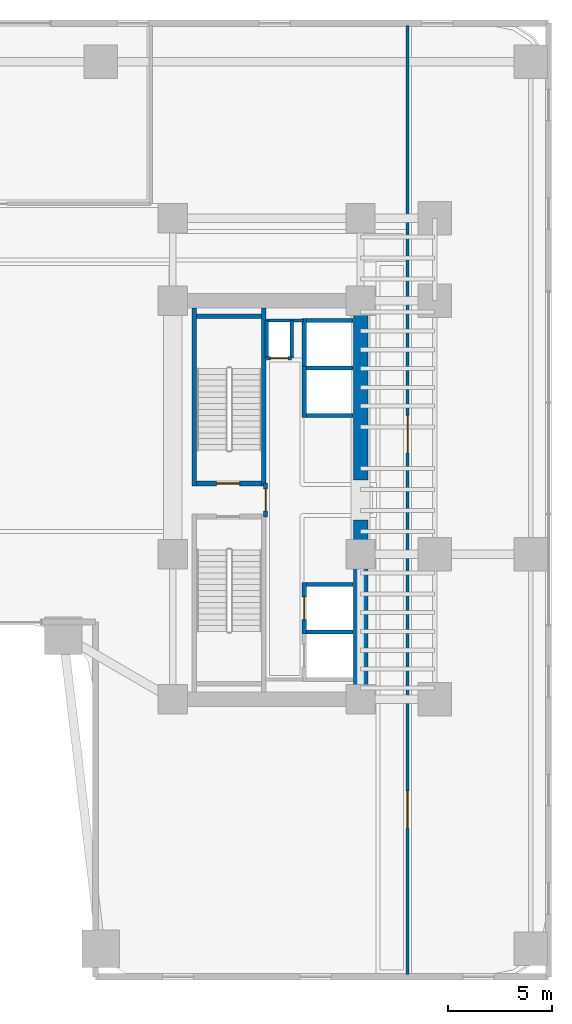
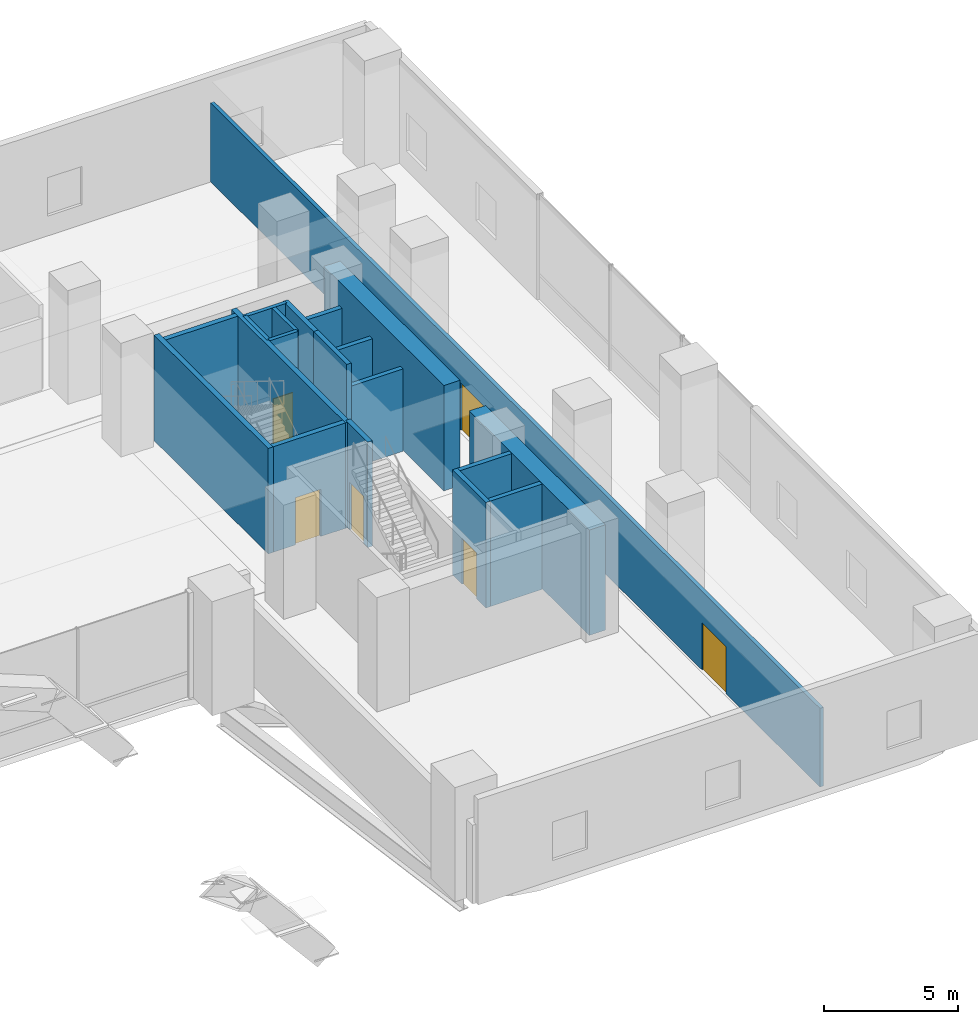
# One storey, part 28 of 39: 20 walls, 6 doors, 6 openings.
"""IFC4 building model written with IfcOpenShell, lengths in metres."""

from ifc_helpers import new_model, si_unit, direction, frame, frame_2d, origin, place, context, subcontext, project, spatial, rectangle, extrude, material, layer, layer_set, type_object, element, fill, save


model = new_model("IFC4")

# Units and contexts
model_context = context("Model", 3, precision=1e-05, world=origin(), true_north=direction((0.0, 1.0)))
body_context = subcontext(model_context, "Body", "Model", "MODEL_VIEW")
ifc_project = project(units=[si_unit("LENGTHUNIT", "METRE"), si_unit("AREAUNIT", "SQUARE_METRE"), si_unit("VOLUMEUNIT", "CUBIC_METRE"), si_unit("PLANEANGLEUNIT", "RADIAN"), si_unit("MASSUNIT", "GRAM", prefix="KILO")], contexts=[model_context])

# Site, building, storey
site_placement = place(None, origin())
site = spatial("IfcSite", under=ifc_project, at=site_placement, CompositionType="ELEMENT")
building_placement = place(site_placement, origin())
building = spatial("IfcBuilding", under=site, at=building_placement, Name="Valdorenza Pilgrim Sanctuary Tower", CompositionType="ELEMENT")
storey_placement = place(building_placement, frame((0.0, 0.0, 15.60009765625)))
storey = spatial("IfcBuildingStorey", under=building, at=storey_placement, Name="L03", CompositionType="ELEMENT", Elevation=15.60009765625)

# Wall, opening, door
ifc_material_1 = material(Name="Acoustic twin-stud gypsum partition", Category="gypsum")
ifc_layer_1 = layer(ifc_material_1, 0.159912109375, Name="Acoustic twin-stud gypsum partition")
ifc_layer_set_1 = layer_set([ifc_layer_1], Name="Acoustic twin-stud gypsum partition")
wall_type_1 = type_object("IfcWallType", Name="WAL-COR-160", PredefinedType="PARTITIONING", material=ifc_layer_set_1)
wall_1_placement = place(storey_placement, frame((20.35009765625, 6.800048828125, 0.0), z_axis=(0.0, 0.0, 1.0), x_axis=(1.0, 0.0, 0.0)))
wall_1 = element("IfcWall", 1, at=wall_1_placement, inside=storey, type_object=wall_type_1, Name="L03 Core B Riser South Wall", PredefinedType="PARTITIONING", context=body_context, shape_type="SweptSolid", body=[
    extrude(rectangle(XDim=1.199951171875, YDim=0.159912109375, at=frame_2d((0.60009765625, 0.0))), origin(), (0.0, 0.0, 1.0), 4.7998046875),
])
opening_1_placement = place(wall_1_placement, frame((0.175048828125, 0.0, 0.0)))
opening_1 = element("IfcOpeningElement", 2, at=opening_1_placement, cuts=wall_1, Name="Opening DR-RS1", PredefinedType="OPENING", context=body_context, shape_type="SweptSolid", body=[
    extrude(rectangle(XDim=0.85009765625, YDim=2.050048828125, at=frame_2d((0.425048828125, 1.02490234375))), frame((0.0, 0.0947265625, 0.0), z_axis=(0.0, -1.0, 0.0), x_axis=(1.0, 0.0, 0.0)), (0.0, 0.0, 1.0), 0.189697265625),
])
ifc_material_2 = material(Name="Painted galvanized steel", Category="steel")
door_type_1 = type_object("IfcDoorType", Name="DR-RSR-850", OperationType="NOTDEFINED", PredefinedType="DOOR", material=ifc_material_2)
door_1_placement = place(opening_1_placement, origin())
door_1 = element("IfcDoor", 3, at=door_1_placement, inside=storey, type_object=door_type_1, Name="L03 Core B Electrical Riser Door", OperationType="SINGLE_SWING_RIGHT", OverallHeight=2.050048828125, OverallWidth=0.85009765625, PredefinedType="DOOR", context=body_context, shape_type="SweptSolid", body=[
    extrude(rectangle(XDim=0.85009765625, YDim=2.050048828125, at=frame_2d((0.425048828125, 1.02490234375))), frame((0.0, 0.02490234375, 0.0), z_axis=(0.0, -1.0, 0.0), x_axis=(1.0, 0.0, 0.0)), (0.0, 0.0, 1.0), 0.050048828125),
])
fill(opening_1, door_1)

# Walls
for number, where, z_axis, x_axis, name in (
    (4, (21.550048828125, 6.800048828125, 0.0), (0.0, 0.0, 1.0), (0.0, 1.0, 0.0), "L03 Core B Riser East Wall"),
    (5, (20.35009765625, 6.800048828125, 0.0), (0.0, 0.0, 1.0), (0.0, 1.0, 0.0), "L03 Core B Riser West Wall"),
):
    element("IfcWall", number, at=place(storey_placement, frame(where, z_axis=z_axis, x_axis=x_axis)), inside=storey, type_object=wall_type_1, Name=name, PredefinedType="PARTITIONING", context=body_context, shape_type="SweptSolid", body=[
        extrude(rectangle(XDim=1.800048828125, YDim=0.159912109375, at=frame_2d((0.89990234375, 0.0))), origin(), (0.0, 0.0, 1.0), 4.7998046875),
    ])
wall_2_placement = place(storey_placement, frame((20.300048828125, 8.60009765625, 0.0), z_axis=(0.0, 0.0, 1.0), x_axis=(1.0, 0.0, 0.0)))
element("IfcWall", 6, at=wall_2_placement, inside=storey, type_object=wall_type_1, Name="L03 Core B Lift Hall North End Wall", PredefinedType="PARTITIONING", context=body_context, shape_type="SweptSolid", body=[
    extrude(rectangle(XDim=1.820068359375, YDim=0.159912109375, at=frame_2d((0.91015625, 0.0))), origin(), (0.0, 0.0, 1.0), 4.7998046875),
])

# Wall, openings, doors
wall_3_placement = place(storey_placement, frame((27.10009765625, -22.739990234375, 0.0), z_axis=(0.0, 0.0, 1.0), x_axis=(0.0, 1.0, 0.0)))
wall_3 = element("IfcWall", 7, at=wall_3_placement, inside=storey, type_object=wall_type_1, Name="L03 L03 East Hall Wall", PredefinedType="PARTITIONING", context=body_context, shape_type="SweptSolid", body=[
    extrude(rectangle(XDim=45.47998046875, YDim=0.159912109375, at=frame_2d((22.739990234375, 0.0))), origin(), (0.0, 0.0, 1.0), 3.5849609375),
])
opening_2_placement = place(wall_3_placement, frame((7.0, 0.0, 0.0)))
opening_2 = element("IfcOpeningElement", 8, at=opening_2_placement, cuts=wall_3, Name="Opening DR-HL1", PredefinedType="OPENING", context=body_context, shape_type="SweptSolid", body=[
    extrude(rectangle(XDim=1.800048828125, YDim=2.14990234375, at=frame_2d((0.89990234375, 1.074951171875))), frame((0.0, 0.0947265625, 0.0), z_axis=(0.0, -1.0, 0.0), x_axis=(1.0, 0.0, 0.0)), (0.0, 0.0, 1.0), 0.189697265625),
])
opening_3_placement = place(wall_3_placement, frame((25.0, 0.0, 0.0)))
opening_3 = element("IfcOpeningElement", 9, at=opening_3_placement, cuts=wall_3, Name="Opening DR-HL1", PredefinedType="OPENING", context=body_context, shape_type="SweptSolid", body=[
    extrude(rectangle(XDim=1.800048828125, YDim=2.14990234375, at=frame_2d((0.89990234375, 1.074951171875))), frame((0.0, 0.0947265625, 0.0), z_axis=(0.0, -1.0, 0.0), x_axis=(1.0, 0.0, 0.0)), (0.0, 0.0, 1.0), 0.189697265625),
])
ifc_material_3 = material(Name="Acoustic oak and vision-glass double door", Category="glass")
door_type_2 = type_object("IfcDoorType", Name="DR-HALL-1800", OperationType="NOTDEFINED", PredefinedType="DOOR", material=ifc_material_3)
door_2_placement = place(opening_2_placement, frame((1.800048828125, 0.0, 0.0), z_axis=(0.0, 0.0, 1.0), x_axis=(-1.0, 0.0, 0.0)))
door_2 = element("IfcDoor", 10, at=door_2_placement, inside=storey, type_object=door_type_2, Name="L03 Theological Reference Library South Double Door", OperationType="DOUBLE_DOOR_SINGLE_SWING", OverallHeight=2.14990234375, OverallWidth=1.800048828125, PredefinedType="DOOR", context=body_context, shape_type="SweptSolid", body=[
    extrude(rectangle(XDim=1.800048828125, YDim=2.14990234375, at=frame_2d((0.89990234375, 1.074951171875))), frame((0.0, 0.02490234375, 0.0), z_axis=(0.0, -1.0, 0.0), x_axis=(1.0, 0.0, 0.0)), (0.0, 0.0, 1.0), 0.050048828125),
])
fill(opening_2, door_2)
door_3_placement = place(opening_3_placement, origin())
door_3 = element("IfcDoor", 11, at=door_3_placement, inside=storey, type_object=door_type_2, Name="L03 Theological Reference Library North Double Door", OperationType="DOUBLE_DOOR_SINGLE_SWING", OverallHeight=2.14990234375, OverallWidth=1.800048828125, PredefinedType="DOOR", context=body_context, shape_type="SweptSolid", body=[
    extrude(rectangle(XDim=1.800048828125, YDim=2.14990234375, at=frame_2d((0.89990234375, 1.074951171875))), frame((0.0, 0.02490234375, 0.0), z_axis=(0.0, -1.0, 0.0), x_axis=(1.0, 0.0, 0.0)), (0.0, 0.0, 1.0), 0.050048828125),
])
fill(opening_3, door_3)

# Walls
ifc_material_4 = material(Name="Concrete C60/75", Category="concrete")
ifc_layer_2 = layer(ifc_material_4, 0.699951171875, Name="Concrete C60/75")
ifc_layer_set_2 = layer_set([ifc_layer_2], Name="Concrete C60/75")
wall_type_2 = type_object("IfcWallType", Name="WAL-COR-700", PredefinedType="SHEAR", material=ifc_layer_set_2)
for number, where, z_axis, x_axis, name in (
    (12, (24.85009765625, -9.89990234375, 0.0), (0.0, 0.0, 1.0), (0.0, 1.0, 0.0), "L03 Split Core B Shear Wall ES"),
    (13, (24.85009765625, 0.949951171875, 0.0), (0.0, 0.0, 1.0), (0.0, 1.0, 0.0), "L03 Split Core B Shear Wall EN"),
):
    element("IfcWall", number, at=place(storey_placement, frame(where, z_axis=z_axis, x_axis=x_axis)), inside=storey, type_object=wall_type_2, Name=name, PredefinedType="SHEAR", context=body_context, shape_type="SweptSolid", body=[
        extrude(rectangle(XDim=8.949951171875, YDim=0.699951171875, at=frame_2d((4.47509765625, 0.0))), origin(), (0.0, 0.0, 1.0), 4.7998046875),
    ])

# Wall, opening, door
ifc_material_5 = material(Name="Gypsum shaftwall partition", Category="gypsum")
ifc_layer_3 = layer(ifc_material_5, 0.199951171875, Name="Gypsum shaftwall partition")
ifc_layer_set_3 = layer_set([ifc_layer_3], Name="Gypsum shaftwall partition")
wall_type_3 = type_object("IfcWallType", Name="WAL-FFL-200", PredefinedType="PARTITIONING", material=ifc_layer_set_3)
wall_4_placement = place(storey_placement, frame((20.300048828125, -0.820068359375, 0.0), z_axis=(0.0, 0.0, 1.0), x_axis=(0.0, 1.0, 0.0)))
wall_4 = element("IfcWall", 14, at=wall_4_placement, inside=storey, type_object=wall_type_3, Name="L03 Core B Firefighting Lobby East Wall", PredefinedType="PARTITIONING", context=body_context, shape_type="SweptSolid", body=[
    extrude(rectangle(XDim=1.64013671875, YDim=0.199951171875, at=frame_2d((0.820068359375, 0.0))), origin(), (0.0, 0.0, 1.0), 4.7998046875),
])
opening_4_placement = place(wall_4_placement, frame((0.294921875, 0.0, 0.0)))
opening_4 = element("IfcOpeningElement", 15, at=opening_4_placement, cuts=wall_4, Name="Opening DR-FL1", PredefinedType="OPENING", context=body_context, shape_type="SweptSolid", body=[
    extrude(rectangle(XDim=1.050048828125, YDim=2.14990234375, at=frame_2d((0.52490234375, 1.074951171875))), frame((0.0, 0.11474609375, 0.0), z_axis=(0.0, -1.0, 0.0), x_axis=(1.0, 0.0, 0.0)), (0.0, 0.0, 1.0), 0.229736328125),
])
door_type_3 = type_object("IfcDoorType", Name="DR-FFL-1050", OperationType="NOTDEFINED", PredefinedType="DOOR", material=ifc_material_2)
door_4_placement = place(opening_4_placement, frame((1.050048828125, 0.0, 0.0), z_axis=(0.0, 0.0, 1.0), x_axis=(-1.0, 0.0, 0.0)))
door_4 = element("IfcDoor", 16, at=door_4_placement, inside=storey, type_object=door_type_3, Name="L03 Core B Firefighting Lobby Door", OperationType="SINGLE_SWING_LEFT", OverallHeight=2.14990234375, OverallWidth=1.050048828125, PredefinedType="DOOR", context=body_context, shape_type="SweptSolid", body=[
    extrude(rectangle(XDim=1.050048828125, YDim=2.14990234375, at=frame_2d((0.52490234375, 1.074951171875))), frame((0.0, 0.02490234375, 0.0), z_axis=(0.0, -1.0, 0.0), x_axis=(1.0, 0.0, 0.0)), (0.0, 0.0, 1.0), 0.050048828125),
])
fill(opening_4, door_4)

# Wall
ifc_material_6 = material(Name="Autoclaved aerated concrete blockwork", Category="masonry")
ifc_layer_4 = layer(ifc_material_6, 0.199951171875, Name="Autoclaved aerated concrete blockwork")
ifc_layer_set_4 = layer_set([ifc_layer_4], Name="Autoclaved aerated concrete blockwork")
wall_type_4 = type_object("IfcWallType", Name="WAL-SHF-200", PredefinedType="MOVABLE", material=ifc_layer_set_4)
wall_5_placement = place(storey_placement, frame((22.25, -6.324951171875, 0.0), z_axis=(0.0, 0.0, 1.0), x_axis=(1.0, 0.0, 0.0)))
element("IfcWall", 17, at=wall_5_placement, inside=storey, type_object=wall_type_4, Name="L03 Lift PL-03 Hoistway Wall North", PredefinedType="MOVABLE", context=body_context, shape_type="SweptSolid", body=[
    extrude(rectangle(XDim=2.22998046875, YDim=0.199951171875, at=frame_2d((1.114990234375, 0.0))), origin(), (0.0, 0.0, 1.0), 4.7998046875),
])

# Wall, opening, door
wall_6_placement = place(storey_placement, frame((22.14990234375, -6.425048828125, 0.0), z_axis=(0.0, 0.0, 1.0), x_axis=(0.0, 1.0, 0.0)))
wall_6 = element("IfcWall", 18, at=wall_6_placement, inside=storey, type_object=wall_type_4, Name="L03 Lift PL-04 Hoistway Wall West", PredefinedType="MOVABLE", context=body_context, shape_type="SweptSolid", body=[
    extrude(rectangle(XDim=2.47509765625, YDim=0.199951171875, at=frame_2d((1.237548828125, 0.0))), origin(), (0.0, 0.0, 1.0), 4.7998046875),
])
opening_5_placement = place(wall_6_placement, frame((0.6875, 0.0, 0.0)))
opening_5 = element("IfcOpeningElement", 19, at=opening_5_placement, cuts=wall_6, Name="Opening LD-01", PredefinedType="OPENING", context=body_context, shape_type="SweptSolid", body=[
    extrude(rectangle(XDim=1.10009765625, YDim=2.10009765625, at=frame_2d((0.550048828125, 1.050048828125))), frame((0.0, 0.11474609375, 0.0), z_axis=(0.0, -1.0, 0.0), x_axis=(1.0, 0.0, 0.0)), (0.0, 0.0, 1.0), 0.229736328125),
])
ifc_material_7 = material(Name="Brushed stainless steel Grade 316", Category="steel")
door_type_4 = type_object("IfcDoorType", Name="DR-LFT-1100", OperationType="DOUBLE_DOOR_SLIDING", PredefinedType="DOOR", material=ifc_material_7)
door_5_placement = place(opening_5_placement, origin())
door_5 = element("IfcDoor", 20, at=door_5_placement, inside=storey, type_object=door_type_4, Name="L03 Lift PL-04 Sliding Landing Door", OperationType="DOUBLE_DOOR_SLIDING", OverallHeight=2.10009765625, OverallWidth=1.10009765625, PredefinedType="DOOR", context=body_context, shape_type="SweptSolid", body=[
    extrude(rectangle(XDim=1.10009765625, YDim=2.10009765625, at=frame_2d((0.550048828125, 1.050048828125))), frame((0.0, 0.02490234375, 0.0), z_axis=(0.0, -1.0, 0.0), x_axis=(1.0, 0.0, 0.0)), (0.0, 0.0, 1.0), 0.050048828125),
])
fill(opening_5, door_5)

# Walls
wall_7_placement = place(storey_placement, frame((22.25, -4.050048828125, 0.0), z_axis=(0.0, 0.0, 1.0), x_axis=(1.0, 0.0, 0.0)))
element("IfcWall", 21, at=wall_7_placement, inside=storey, type_object=wall_type_4, Name="L03 Lift PL-04 Hoistway Wall North", PredefinedType="MOVABLE", context=body_context, shape_type="SweptSolid", body=[
    extrude(rectangle(XDim=2.22998046875, YDim=0.199951171875, at=frame_2d((1.114990234375, 0.0))), origin(), (0.0, 0.0, 1.0), 4.7998046875),
])
wall_8_placement = place(storey_placement, frame((22.14990234375, 3.949951171875, 0.0), z_axis=(0.0, 0.0, 1.0), x_axis=(0.0, 1.0, 0.0)))
element("IfcWall", 22, at=wall_8_placement, inside=storey, type_object=wall_type_4, Name="L03 Lift PL-07 Hoistway Wall West", PredefinedType="MOVABLE", context=body_context, shape_type="SweptSolid", body=[
    extrude(rectangle(XDim=2.47509765625, YDim=0.199951171875, at=frame_2d((1.237548828125, 0.0))), origin(), (0.0, 0.0, 1.0), 4.7998046875),
])
for number, where, z_axis, x_axis, name in (
    (23, (22.25, 4.050048828125, 0.0), (0.0, 0.0, 1.0), (1.0, 0.0, 0.0), "L03 Lift PL-07 Hoistway Wall South"),
    (24, (22.25, 6.324951171875, 0.0), (0.0, 0.0, 1.0), (1.0, 0.0, 0.0), "L03 Lift PL-07 Hoistway Wall North"),
):
    element("IfcWall", number, at=place(storey_placement, frame(where, z_axis=z_axis, x_axis=x_axis)), inside=storey, type_object=wall_type_4, Name=name, PredefinedType="MOVABLE", context=body_context, shape_type="SweptSolid", body=[
        extrude(rectangle(XDim=2.22998046875, YDim=0.199951171875, at=frame_2d((1.114990234375, 0.0))), origin(), (0.0, 0.0, 1.0), 3.744873046875),
    ])
wall_9_placement = place(storey_placement, frame((22.14990234375, 6.22509765625, 0.0), z_axis=(0.0, 0.0, 1.0), x_axis=(0.0, 1.0, 0.0)))
element("IfcWall", 25, at=wall_9_placement, inside=storey, type_object=wall_type_4, Name="L03 Lift PL-08 Hoistway Wall West", PredefinedType="MOVABLE", context=body_context, shape_type="SweptSolid", body=[
    extrude(rectangle(XDim=2.474853515625, YDim=0.199951171875, at=frame_2d((1.2373046875, 0.0))), origin(), (0.0, 0.0, 1.0), 4.7998046875),
])
wall_10_placement = place(storey_placement, frame((22.25, 8.60009765625, 0.0), z_axis=(0.0, 0.0, 1.0), x_axis=(1.0, 0.0, 0.0)))
element("IfcWall", 26, at=wall_10_placement, inside=storey, type_object=wall_type_4, Name="L03 Lift PL-08 Hoistway Wall North", PredefinedType="MOVABLE", context=body_context, shape_type="SweptSolid", body=[
    extrude(rectangle(XDim=2.22998046875, YDim=0.199951171875, at=frame_2d((1.114990234375, 0.0))), origin(), (0.0, 0.0, 1.0), 3.744873046875),
])
ifc_material_8 = material(Name="Concrete C40/50", Category="concrete")
ifc_layer_5 = layer(ifc_material_8, 0.219970703125, Name="Concrete C40/50")
ifc_layer_set_5 = layer_set([ifc_layer_5], Name="Concrete C40/50")
wall_type_5 = type_object("IfcWallType", Name="WAL-STR-SHF-220", PredefinedType="SHEAR", material=ifc_layer_set_5)
for number, where, z_axis, x_axis, name in (
    (27, (16.889892578125, 0.679931640625, 0.0), (0.0, 0.0, 1.0), (0.0, 1.0, 0.0), "L03 ST-B1 Structural Stairwell Wall W"),
    (28, (20.219970703125, 0.679931640625, 0.0), (0.0, 0.0, 1.0), (0.0, 1.0, 0.0), "L03 ST-B1 Structural Stairwell Wall E"),
):
    element("IfcWall", number, at=place(storey_placement, frame(where, z_axis=z_axis, x_axis=x_axis)), inside=storey, type_object=wall_type_5, Name=name, PredefinedType="SHEAR", context=body_context, shape_type="SweptSolid", body=[
        extrude(rectangle(XDim=8.52001953125, YDim=0.219970703125, at=frame_2d((4.260009765625, 0.0))), origin(), (0.0, 0.0, 1.0), 4.7998046875),
    ])

# Wall, opening, door
wall_11_placement = place(storey_placement, frame((17.0, 0.7900390625, 0.0), z_axis=(0.0, 0.0, 1.0), x_axis=(1.0, 0.0, 0.0)))
wall_11 = element("IfcWall", 29, at=wall_11_placement, inside=storey, type_object=wall_type_5, Name="L03 ST-B1 Structural Stairwell Wall S", PredefinedType="SHEAR", context=body_context, shape_type="SweptSolid", body=[
    extrude(rectangle(XDim=3.110107421875, YDim=0.219970703125, at=frame_2d((1.55517578125, 0.0))), origin(), (0.0, 0.0, 1.0), 4.7998046875),
])
opening_6_placement = place(wall_11_placement, frame((0.949951171875, 0.0, 0.0)))
opening_6 = element("IfcOpeningElement", 30, at=opening_6_placement, cuts=wall_11, Name="Opening DR-ST1", PredefinedType="OPENING", context=body_context, shape_type="SweptSolid", body=[
    extrude(rectangle(XDim=1.10009765625, YDim=2.14990234375, at=frame_2d((0.550048828125, 1.074951171875))), frame((0.0, 0.125, 0.0), z_axis=(0.0, -1.0, 0.0), x_axis=(1.0, 0.0, 0.0)), (0.0, 0.0, 1.0), 0.249755859375),
])
door_type_5 = type_object("IfcDoorType", Name="DR-STAIR-1100", OperationType="NOTDEFINED", PredefinedType="DOOR", material=ifc_material_2)
door_6_placement = place(opening_6_placement, origin())
door_6 = element("IfcDoor", 31, at=door_6_placement, inside=storey, type_object=door_type_5, Name="L03 Exit Stair ST-B1 Door", OperationType="SINGLE_SWING_RIGHT", OverallHeight=2.14990234375, OverallWidth=1.10009765625, PredefinedType="DOOR", context=body_context, shape_type="SweptSolid", body=[
    extrude(rectangle(XDim=1.10009765625, YDim=2.14990234375, at=frame_2d((0.550048828125, 1.074951171875))), frame((0.0, 0.02490234375, 0.0), z_axis=(0.0, -1.0, 0.0), x_axis=(1.0, 0.0, 0.0)), (0.0, 0.0, 1.0), 0.050048828125),
])
fill(opening_6, door_6)

# Wall
wall_12_placement = place(storey_placement, frame((17.0, 8.81005859375, 0.0), z_axis=(0.0, 0.0, 1.0), x_axis=(1.0, 0.0, 0.0)))
element("IfcWall", 32, at=wall_12_placement, inside=storey, type_object=wall_type_5, Name="L03 ST-B1 Structural Stairwell Wall N", PredefinedType="SHEAR", context=body_context, shape_type="SweptSolid", body=[
    extrude(rectangle(XDim=3.110107421875, YDim=0.219970703125, at=frame_2d((1.55517578125, 0.0))), origin(), (0.0, 0.0, 1.0), 4.7998046875),
])

save(model, "model.ifc")
